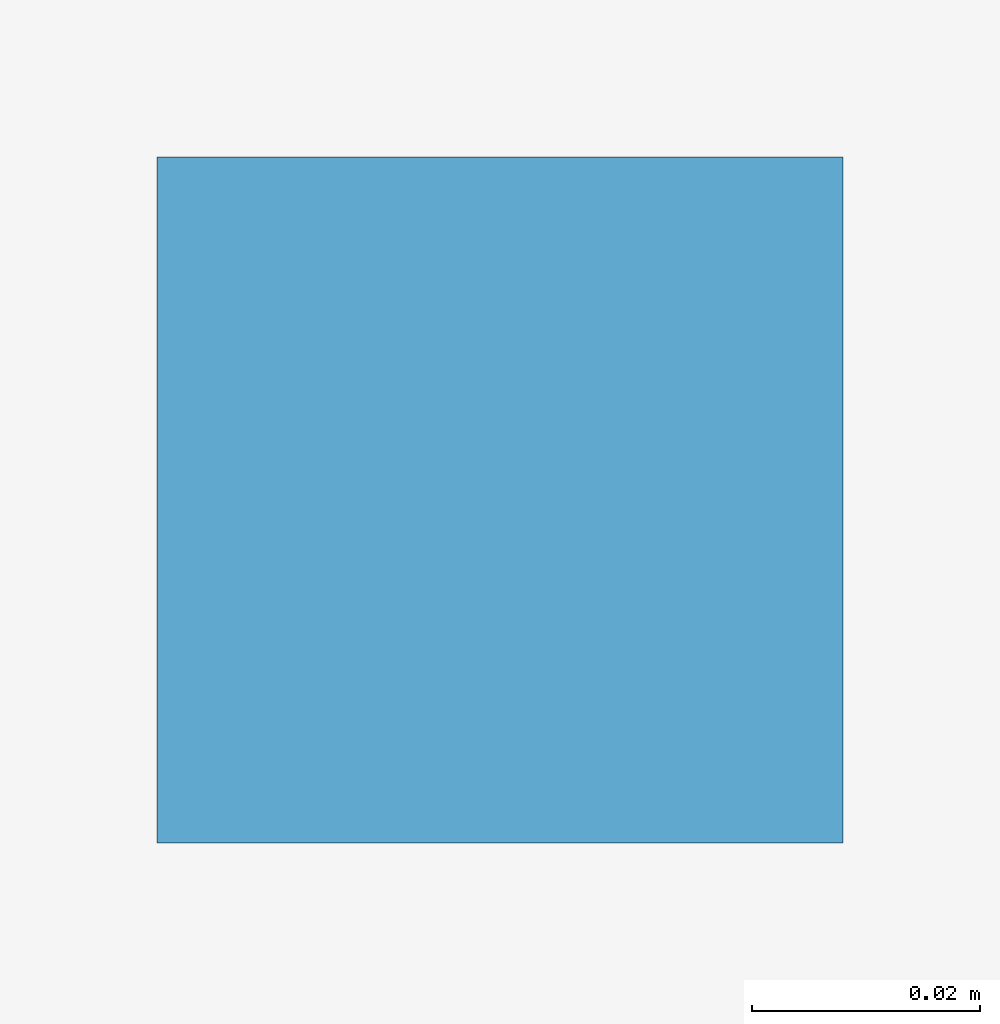
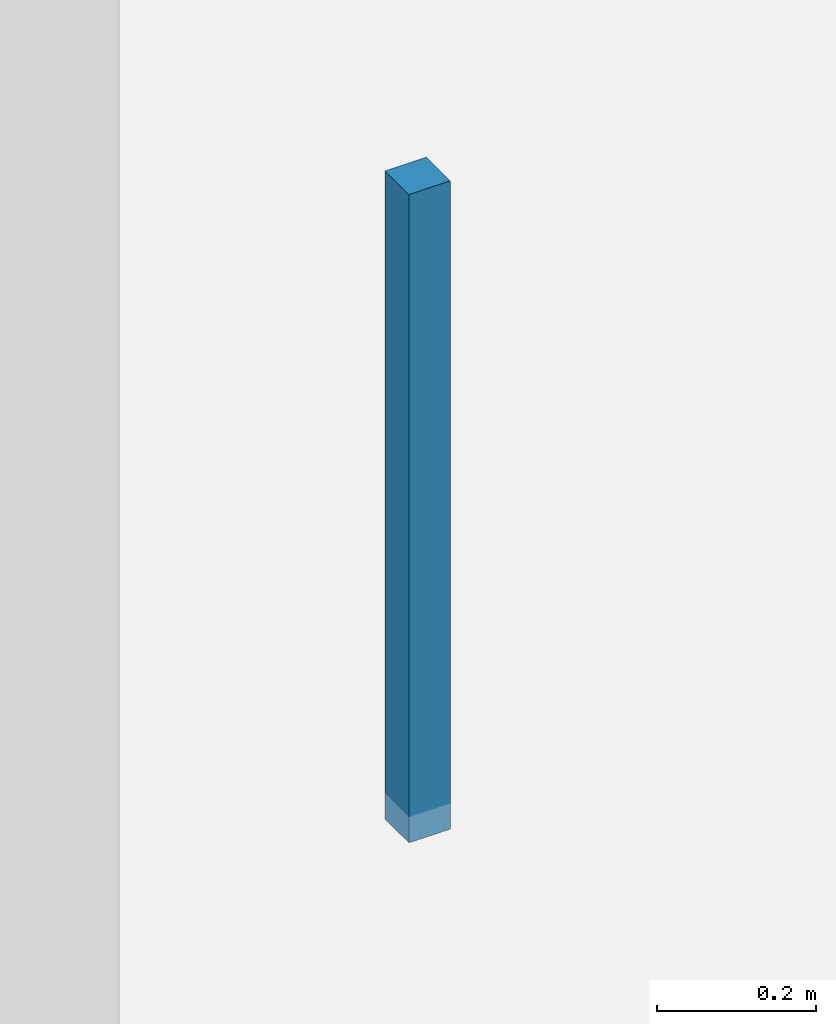
# One storey, part 78 of 140: 1 discrete accessory.
"""IFC4 building model written with IfcOpenShell, lengths in metres."""

from ifc_helpers import new_model, si_unit, direction, frame, origin, origin_2d, place, context, subcontext, project, spatial, rectangle, extrude, material, type_object, element, save


model = new_model("IFC4")

# Units and contexts
model_context = context("Model", 3, precision=1e-05, world=origin(), true_north=direction((0.0, 1.0)))
body_context = subcontext(model_context, "Body", "Model", "MODEL_VIEW")
ifc_project = project(units=[si_unit("LENGTHUNIT", "METRE"), si_unit("AREAUNIT", "SQUARE_METRE"), si_unit("VOLUMEUNIT", "CUBIC_METRE"), si_unit("PLANEANGLEUNIT", "RADIAN"), si_unit("MASSUNIT", "GRAM", prefix="KILO")], contexts=[model_context])

# Site, building, storey
site_placement = place(None, origin())
site = spatial("IfcSite", under=ifc_project, at=site_placement, CompositionType="ELEMENT")
building_placement = place(site_placement, origin())
building = spatial("IfcBuilding", under=site, at=building_placement, Name="Telukmera Botanical Conservatory", CompositionType="ELEMENT")
storey_placement = place(building_placement, origin())
storey = spatial("IfcBuildingStorey", under=building, at=storey_placement, Name="L00", CompositionType="ELEMENT", Elevation=0.0)

# Discrete accessory
ifc_material = material(Name="Steel S355", Category="steel")
discrete_accessory_type = type_object("IfcDiscreteAccessoryType", Name="ACC-CEIL-HGR", PredefinedType="BRACKET", material=ifc_material)
discrete_accessory_placement = place(storey_placement, frame((32.114013671875, 45.25, 4.2099609375), z_axis=(0.0, 0.0, 1.0), x_axis=(1.0, 0.0, 0.0)))
element("IfcDiscreteAccessory", 1, at=discrete_accessory_placement, inside=storey, type_object=discrete_accessory_type, Name="L00 Suspended Ceiling Hanger Rod 014-2", PredefinedType="BRACKET", context=body_context, shape_type="SweptSolid", body=[
    extrude(rectangle(XDim=0.06005859375, YDim=0.06005859375, at=origin_2d()), origin(), (0.0, 0.0, 1.0), 0.9951171875),
])

save(model, "model.ifc")
